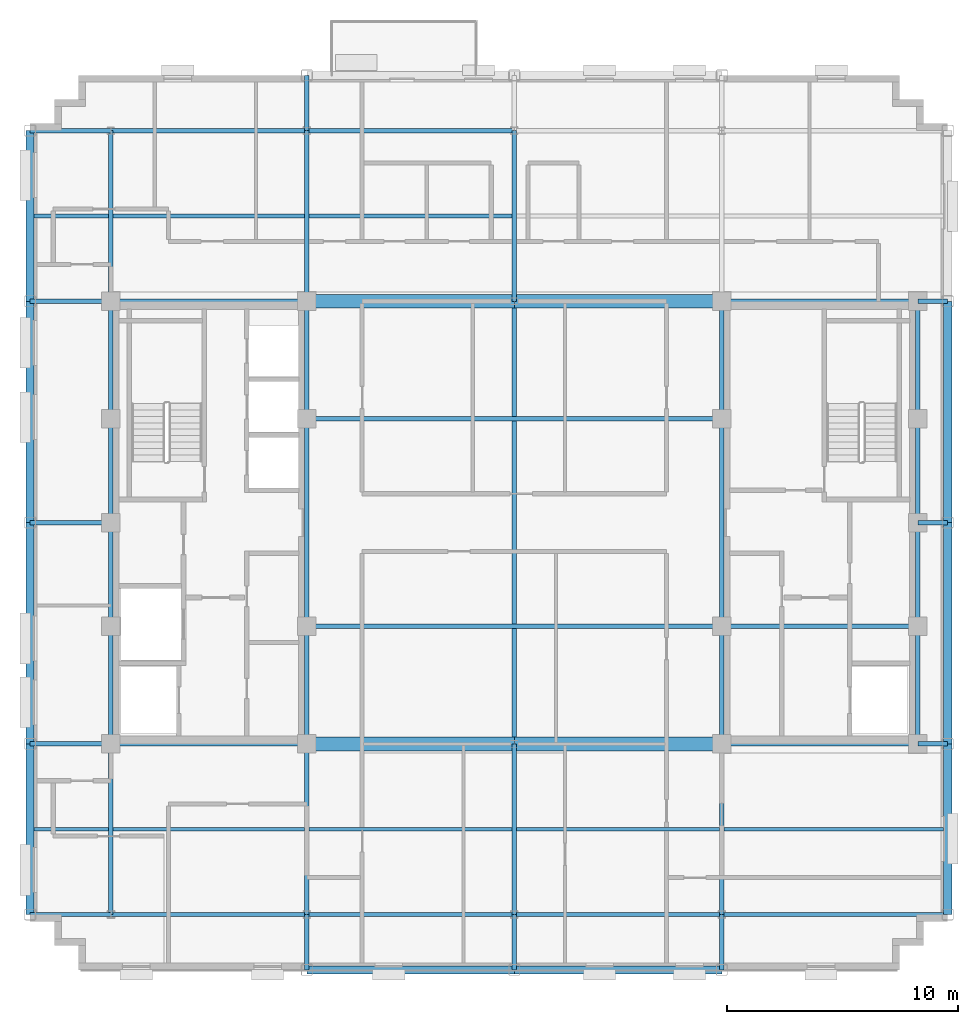
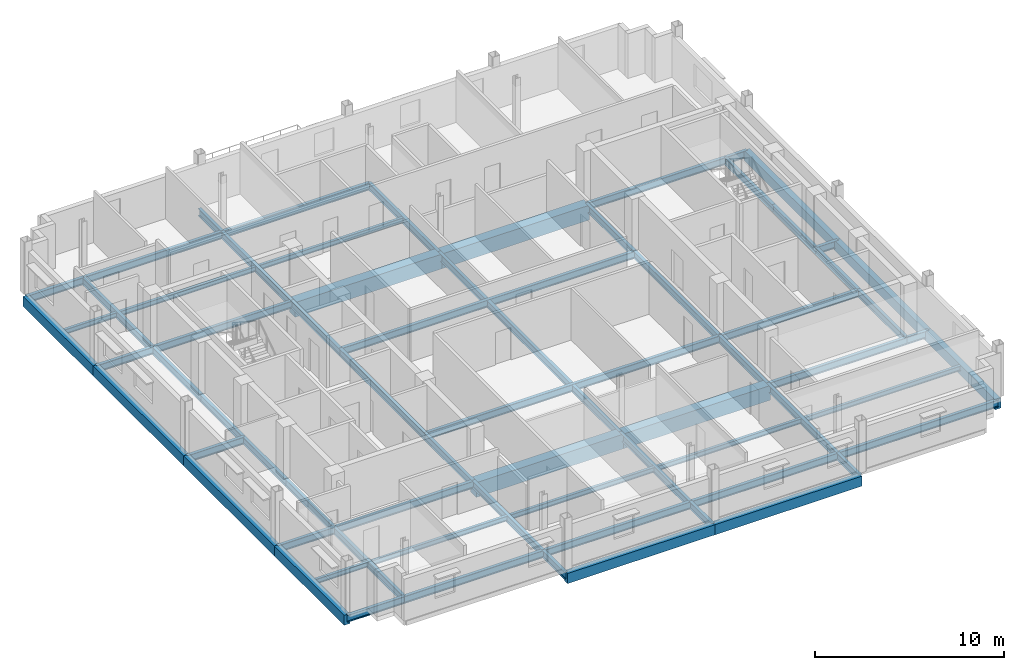
# One storey, part 4 of 14: 68 beams.
"""IFC4 building model written with IfcOpenShell, lengths in metres."""

from ifc_helpers import new_model, si_unit, direction, frame, origin, origin_2d, place, context, subcontext, project, spatial, rectangle, i_section, extrude, material, material_profile, profile_set, type_object, element, save


model = new_model("IFC4")

# Units and contexts
model_context = context("Model", 3, precision=1e-05, world=origin(), true_north=direction((0.0, 1.0)))
body_context = subcontext(model_context, "Body", "Model", "MODEL_VIEW")
ifc_project = project(units=[si_unit("LENGTHUNIT", "METRE"), si_unit("AREAUNIT", "SQUARE_METRE"), si_unit("VOLUMEUNIT", "CUBIC_METRE"), si_unit("PLANEANGLEUNIT", "RADIAN"), si_unit("MASSUNIT", "GRAM", prefix="KILO")], contexts=[model_context])

# Site, building, storey
site_placement = place(None, origin())
site = spatial("IfcSite", under=ifc_project, at=site_placement, CompositionType="ELEMENT")
building_placement = place(site_placement, origin())
building = spatial("IfcBuilding", under=site, at=building_placement, Name="Nuvemarco Arch Tower", CompositionType="ELEMENT")
storey_placement = place(building_placement, frame((0.0, 0.0, 272.550048828125)))
storey = spatial("IfcBuildingStorey", under=building, at=storey_placement, Name="L72", CompositionType="ELEMENT", Elevation=272.550048828125)

# Beams
ifc_material_1 = material(Name="Concrete C60/75", Category="concrete")
ifc_material_profile_1 = material_profile(ifc_material_1, rectangle(XDim=0.60009765625, YDim=0.949951171875, at=origin_2d()), Name="RC-BM-600x950")
ifc_profile_set_1 = profile_set([ifc_material_profile_1], Name="Concrete C60/75")
beam_type_1 = type_object("IfcBeamType", Name="BM-COUP-RC", PredefinedType="LINTEL", material=ifc_profile_set_1)
for number, where, z_axis, x_axis, name in (
    (1, (-9.0, -9.60009765625, -0.755126953125), (1.0, 0.0, 0.0), (0.0, 1.0, 0.0), "L72 structural beam BGEW_L72_0_-9.6_-9.0"),
    (2, (0.0, -9.60009765625, -0.755126953125), (1.0, 0.0, 0.0), (0.0, 1.0, 0.0), "L72 structural beam BGEW_L72_0_-9.6_+0.0"),
    (3, (-9.0, 9.60009765625, -0.755126953125), (1.0, 0.0, 0.0), (0.0, 1.0, 0.0), "L72 structural beam BGEW_L72_0_+9.6_-9.0"),
    (4, (0.0, 9.60009765625, -0.755126953125), (1.0, 0.0, 0.0), (0.0, 1.0, 0.0), "L72 structural beam BGEW_L72_0_+9.6_+0.0"),
):
    element("IfcBeam", number, at=place(storey_placement, frame(where, z_axis=z_axis, x_axis=x_axis)), inside=storey, type_object=beam_type_1, Name=name, PredefinedType="LINTEL", context=body_context, shape_type="SweptSolid", body=[
        extrude(rectangle(XDim=0.60009765625, YDim=0.949951171875, at=origin_2d()), origin(), (0.0, 0.0, 1.0), 9.0),
    ])
ifc_material_2 = material(Name="Steel S355", Category="steel")
ifc_material_profile_2 = material_profile(ifc_material_2, i_section(OverallWidth=0.19189453125, OverallDepth=0.462890625, WebThickness=0.010498046875, FlangeThickness=0.017578125, FilletRadius=0.014892578125, at=origin_2d()), Name="W460x89")
ifc_profile_set_2 = profile_set([ifc_material_profile_2], Name="Steel S355")
beam_type_2 = type_object("IfcBeamType", Name="BM-GIRD-460", PredefinedType="BEAM", material=ifc_profile_set_2)
beam_1_placement = place(storey_placement, frame((-17.5, -17.0, -0.511474609375), z_axis=(0.0, 1.0, 0.0), x_axis=(-1.0, 0.0, 0.0)))
element("IfcBeam", 5, at=beam_1_placement, inside=storey, type_object=beam_type_2, Name="L72 structural beam BGNS_L72_0_-17.5_-17.0", PredefinedType="BEAM", context=body_context, shape_type="SweptSolid", body=[
    extrude(i_section(OverallWidth=0.19189453125, OverallDepth=0.462890625, WebThickness=0.010498046875, FlangeThickness=0.017578125, FilletRadius=0.014892578125, at=origin_2d()), origin(), (0.0, 0.0, 1.0), 7.39990234375),
])
beam_2_placement = place(storey_placement, frame((-17.5, -9.60009765625, -0.511474609375), z_axis=(0.0, 1.0, 0.0), x_axis=(-1.0, 0.0, 0.0)))
element("IfcBeam", 6, at=beam_2_placement, inside=storey, type_object=beam_type_2, Name="L72 structural beam BGNS_L72_0_-17.5_-9.6", PredefinedType="BEAM", context=body_context, shape_type="SweptSolid", body=[
    extrude(i_section(OverallWidth=0.19189453125, OverallDepth=0.462890625, WebThickness=0.010498046875, FlangeThickness=0.017578125, FilletRadius=0.014892578125, at=origin_2d()), origin(), (0.0, 0.0, 1.0), 5.10009765625),
])
for number, where, z_axis, x_axis, name in (
    (7, (-17.5, -4.5, -0.511474609375), (0.0, 1.0, 0.0), (-1.0, 0.0, 0.0), "L72 structural beam BGNS_L72_0_-17.5_-4.5"),
    (8, (-17.5, 0.0, -0.511474609375), (0.0, 1.0, 0.0), (-1.0, 0.0, 0.0), "L72 structural beam BGNS_L72_0_-17.5_+0.0"),
):
    element("IfcBeam", number, at=place(storey_placement, frame(where, z_axis=z_axis, x_axis=x_axis)), inside=storey, type_object=beam_type_2, Name=name, PredefinedType="BEAM", context=body_context, shape_type="SweptSolid", body=[
        extrude(i_section(OverallWidth=0.19189453125, OverallDepth=0.462890625, WebThickness=0.010498046875, FlangeThickness=0.017578125, FilletRadius=0.014892578125, at=origin_2d()), origin(), (0.0, 0.0, 1.0), 4.5),
    ])
beam_3_placement = place(storey_placement, frame((-17.5, 4.5, -0.511474609375), z_axis=(0.0, 1.0, 0.0), x_axis=(-1.0, 0.0, 0.0)))
element("IfcBeam", 9, at=beam_3_placement, inside=storey, type_object=beam_type_2, Name="L72 structural beam BGNS_L72_0_-17.5_+4.5", PredefinedType="BEAM", context=body_context, shape_type="SweptSolid", body=[
    extrude(i_section(OverallWidth=0.19189453125, OverallDepth=0.462890625, WebThickness=0.010498046875, FlangeThickness=0.017578125, FilletRadius=0.014892578125, at=origin_2d()), origin(), (0.0, 0.0, 1.0), 5.10009765625),
])
beam_4_placement = place(storey_placement, frame((-17.5, 9.60009765625, -0.511474609375), z_axis=(0.0, 1.0, 0.0), x_axis=(-1.0, 0.0, 0.0)))
element("IfcBeam", 10, at=beam_4_placement, inside=storey, type_object=beam_type_2, Name="L72 structural beam BGNS_L72_0_-17.5_+9.6", PredefinedType="BEAM", context=body_context, shape_type="SweptSolid", body=[
    extrude(i_section(OverallWidth=0.19189453125, OverallDepth=0.462890625, WebThickness=0.010498046875, FlangeThickness=0.017578125, FilletRadius=0.014892578125, at=origin_2d()), origin(), (0.0, 0.0, 1.0), 7.39990234375),
])
beam_5_placement = place(storey_placement, frame((-9.0, -19.39990234375, -0.511474609375), z_axis=(0.0, 1.0, 0.0), x_axis=(-1.0, 0.0, 0.0)))
element("IfcBeam", 11, at=beam_5_placement, inside=storey, type_object=beam_type_2, Name="L72 structural beam BGNS_L72_0_-9.0_-19.4", PredefinedType="BEAM", context=body_context, shape_type="SweptSolid", body=[
    extrude(i_section(OverallWidth=0.19189453125, OverallDepth=0.462890625, WebThickness=0.010498046875, FlangeThickness=0.017578125, FilletRadius=0.014892578125, at=origin_2d()), origin(), (0.0, 0.0, 1.0), 2.39990234375),
])
beam_6_placement = place(storey_placement, frame((-9.0, -17.0, -0.511474609375), z_axis=(0.0, 1.0, 0.0), x_axis=(-1.0, 0.0, 0.0)))
element("IfcBeam", 12, at=beam_6_placement, inside=storey, type_object=beam_type_2, Name="L72 structural beam BGNS_L72_0_-9.0_-17.0", PredefinedType="BEAM", context=body_context, shape_type="SweptSolid", body=[
    extrude(i_section(OverallWidth=0.19189453125, OverallDepth=0.462890625, WebThickness=0.010498046875, FlangeThickness=0.017578125, FilletRadius=0.014892578125, at=origin_2d()), origin(), (0.0, 0.0, 1.0), 7.39990234375),
])
beam_7_placement = place(storey_placement, frame((-9.0, -9.60009765625, -0.511474609375), z_axis=(0.0, 1.0, 0.0), x_axis=(-1.0, 0.0, 0.0)))
element("IfcBeam", 13, at=beam_7_placement, inside=storey, type_object=beam_type_2, Name="L72 structural beam BGNS_L72_0_-9.0_-9.6", PredefinedType="BEAM", context=body_context, shape_type="SweptSolid", body=[
    extrude(i_section(OverallWidth=0.19189453125, OverallDepth=0.462890625, WebThickness=0.010498046875, FlangeThickness=0.017578125, FilletRadius=0.014892578125, at=origin_2d()), origin(), (0.0, 0.0, 1.0), 5.10009765625),
])
beam_8_placement = place(storey_placement, frame((-9.0, -4.5, -0.511474609375), z_axis=(0.0, 1.0, 0.0), x_axis=(-1.0, 0.0, 0.0)))
element("IfcBeam", 14, at=beam_8_placement, inside=storey, type_object=beam_type_2, Name="L72 structural beam BGNS_L72_0_-9.0_-4.5", PredefinedType="BEAM", context=body_context, shape_type="SweptSolid", body=[
    extrude(i_section(OverallWidth=0.19189453125, OverallDepth=0.462890625, WebThickness=0.010498046875, FlangeThickness=0.017578125, FilletRadius=0.014892578125, at=origin_2d()), origin(), (0.0, 0.0, 1.0), 9.0),
])
beam_9_placement = place(storey_placement, frame((-9.0, 4.5, -0.511474609375), z_axis=(0.0, 1.0, 0.0), x_axis=(-1.0, 0.0, 0.0)))
element("IfcBeam", 15, at=beam_9_placement, inside=storey, type_object=beam_type_2, Name="L72 structural beam BGNS_L72_0_-9.0_+4.5", PredefinedType="BEAM", context=body_context, shape_type="SweptSolid", body=[
    extrude(i_section(OverallWidth=0.19189453125, OverallDepth=0.462890625, WebThickness=0.010498046875, FlangeThickness=0.017578125, FilletRadius=0.014892578125, at=origin_2d()), origin(), (0.0, 0.0, 1.0), 5.10009765625),
])
beam_10_placement = place(storey_placement, frame((-9.0, 9.60009765625, -0.511474609375), z_axis=(0.0, 1.0, 0.0), x_axis=(-1.0, 0.0, 0.0)))
element("IfcBeam", 16, at=beam_10_placement, inside=storey, type_object=beam_type_2, Name="L72 structural beam BGNS_L72_0_-9.0_+9.6", PredefinedType="BEAM", context=body_context, shape_type="SweptSolid", body=[
    extrude(i_section(OverallWidth=0.19189453125, OverallDepth=0.462890625, WebThickness=0.010498046875, FlangeThickness=0.017578125, FilletRadius=0.014892578125, at=origin_2d()), origin(), (0.0, 0.0, 1.0), 7.39990234375),
])
for number, where, z_axis, x_axis, name in (
    (17, (-9.0, 17.0, -0.511474609375), (0.0, 1.0, 0.0), (-1.0, 0.0, 0.0), "L72 structural beam BGNS_L72_0_-9.0_+17.0"),
    (18, (0.0, -19.39990234375, -0.511474609375), (0.0, 1.0, 0.0), (-1.0, 0.0, 0.0), "L72 structural beam BGNS_L72_0_+0.0_-19.4"),
):
    element("IfcBeam", number, at=place(storey_placement, frame(where, z_axis=z_axis, x_axis=x_axis)), inside=storey, type_object=beam_type_2, Name=name, PredefinedType="BEAM", context=body_context, shape_type="SweptSolid", body=[
        extrude(i_section(OverallWidth=0.19189453125, OverallDepth=0.462890625, WebThickness=0.010498046875, FlangeThickness=0.017578125, FilletRadius=0.014892578125, at=origin_2d()), origin(), (0.0, 0.0, 1.0), 2.39990234375),
    ])
beam_11_placement = place(storey_placement, frame((0.0, -17.0, -0.511474609375), z_axis=(0.0, 1.0, 0.0), x_axis=(-1.0, 0.0, 0.0)))
element("IfcBeam", 19, at=beam_11_placement, inside=storey, type_object=beam_type_2, Name="L72 structural beam BGNS_L72_0_+0.0_-17.0", PredefinedType="BEAM", context=body_context, shape_type="SweptSolid", body=[
    extrude(i_section(OverallWidth=0.19189453125, OverallDepth=0.462890625, WebThickness=0.010498046875, FlangeThickness=0.017578125, FilletRadius=0.014892578125, at=origin_2d()), origin(), (0.0, 0.0, 1.0), 7.39990234375),
])
beam_12_placement = place(storey_placement, frame((0.0, -9.60009765625, -0.511474609375), z_axis=(0.0, 1.0, 0.0), x_axis=(-1.0, 0.0, 0.0)))
element("IfcBeam", 20, at=beam_12_placement, inside=storey, type_object=beam_type_2, Name="L72 structural beam BGNS_L72_0_+0.0_-9.6", PredefinedType="BEAM", context=body_context, shape_type="SweptSolid", body=[
    extrude(i_section(OverallWidth=0.19189453125, OverallDepth=0.462890625, WebThickness=0.010498046875, FlangeThickness=0.017578125, FilletRadius=0.014892578125, at=origin_2d()), origin(), (0.0, 0.0, 1.0), 19.2001953125),
])
beam_13_placement = place(storey_placement, frame((0.0, 9.60009765625, -0.511474609375), z_axis=(0.0, 1.0, 0.0), x_axis=(-1.0, 0.0, 0.0)))
element("IfcBeam", 21, at=beam_13_placement, inside=storey, type_object=beam_type_2, Name="L72 structural beam BGNS_L72_0_+0.0_+9.6", PredefinedType="BEAM", context=body_context, shape_type="SweptSolid", body=[
    extrude(i_section(OverallWidth=0.19189453125, OverallDepth=0.462890625, WebThickness=0.010498046875, FlangeThickness=0.017578125, FilletRadius=0.014892578125, at=origin_2d()), origin(), (0.0, 0.0, 1.0), 7.39990234375),
])
beam_14_placement = place(storey_placement, frame((9.0, -19.39990234375, -0.511474609375), z_axis=(0.0, 1.0, 0.0), x_axis=(-1.0, 0.0, 0.0)))
element("IfcBeam", 22, at=beam_14_placement, inside=storey, type_object=beam_type_2, Name="L72 structural beam BGNS_L72_0_+9.0_-19.4", PredefinedType="BEAM", context=body_context, shape_type="SweptSolid", body=[
    extrude(i_section(OverallWidth=0.19189453125, OverallDepth=0.462890625, WebThickness=0.010498046875, FlangeThickness=0.017578125, FilletRadius=0.014892578125, at=origin_2d()), origin(), (0.0, 0.0, 1.0), 2.39990234375),
])
beam_15_placement = place(storey_placement, frame((9.0, -17.0, -0.511474609375), z_axis=(0.0, 1.0, 0.0), x_axis=(-1.0, 0.0, 0.0)))
element("IfcBeam", 23, at=beam_15_placement, inside=storey, type_object=beam_type_2, Name="L72 structural beam BGNS_L72_0_+9.0_-17.0", PredefinedType="BEAM", context=body_context, shape_type="SweptSolid", body=[
    extrude(i_section(OverallWidth=0.19189453125, OverallDepth=0.462890625, WebThickness=0.010498046875, FlangeThickness=0.017578125, FilletRadius=0.014892578125, at=origin_2d()), origin(), (0.0, 0.0, 1.0), 7.39990234375),
])
beam_16_placement = place(storey_placement, frame((9.0, -9.60009765625, -0.511474609375), z_axis=(0.0, 1.0, 0.0), x_axis=(-1.0, 0.0, 0.0)))
element("IfcBeam", 24, at=beam_16_placement, inside=storey, type_object=beam_type_2, Name="L72 structural beam BGNS_L72_0_+9.0_-9.6", PredefinedType="BEAM", context=body_context, shape_type="SweptSolid", body=[
    extrude(i_section(OverallWidth=0.19189453125, OverallDepth=0.462890625, WebThickness=0.010498046875, FlangeThickness=0.017578125, FilletRadius=0.014892578125, at=origin_2d()), origin(), (0.0, 0.0, 1.0), 5.10009765625),
])
beam_17_placement = place(storey_placement, frame((9.0, -4.5, -0.511474609375), z_axis=(0.0, 1.0, 0.0), x_axis=(-1.0, 0.0, 0.0)))
element("IfcBeam", 25, at=beam_17_placement, inside=storey, type_object=beam_type_2, Name="L72 structural beam BGNS_L72_0_+9.0_-4.5", PredefinedType="BEAM", context=body_context, shape_type="SweptSolid", body=[
    extrude(i_section(OverallWidth=0.19189453125, OverallDepth=0.462890625, WebThickness=0.010498046875, FlangeThickness=0.017578125, FilletRadius=0.014892578125, at=origin_2d()), origin(), (0.0, 0.0, 1.0), 9.0),
])
for number, where, z_axis, x_axis, name in (
    (26, (9.0, 4.5, -0.511474609375), (0.0, 1.0, 0.0), (-1.0, 0.0, 0.0), "L72 structural beam BGNS_L72_0_+9.0_+4.5"),
    (27, (17.5, -9.60009765625, -0.511474609375), (0.0, 1.0, 0.0), (-1.0, 0.0, 0.0), "L72 structural beam BGNS_L72_0_+17.5_-9.6"),
):
    element("IfcBeam", number, at=place(storey_placement, frame(where, z_axis=z_axis, x_axis=x_axis)), inside=storey, type_object=beam_type_2, Name=name, PredefinedType="BEAM", context=body_context, shape_type="SweptSolid", body=[
        extrude(i_section(OverallWidth=0.19189453125, OverallDepth=0.462890625, WebThickness=0.010498046875, FlangeThickness=0.017578125, FilletRadius=0.014892578125, at=origin_2d()), origin(), (0.0, 0.0, 1.0), 5.10009765625),
    ])
for number, where, z_axis, x_axis, name in (
    (28, (17.5, -4.5, -0.511474609375), (0.0, 1.0, 0.0), (-1.0, 0.0, 0.0), "L72 structural beam BGNS_L72_0_+17.5_-4.5"),
    (29, (17.5, 0.0, -0.511474609375), (0.0, 1.0, 0.0), (-1.0, 0.0, 0.0), "L72 structural beam BGNS_L72_0_+17.5_+0.0"),
):
    element("IfcBeam", number, at=place(storey_placement, frame(where, z_axis=z_axis, x_axis=x_axis)), inside=storey, type_object=beam_type_2, Name=name, PredefinedType="BEAM", context=body_context, shape_type="SweptSolid", body=[
        extrude(i_section(OverallWidth=0.19189453125, OverallDepth=0.462890625, WebThickness=0.010498046875, FlangeThickness=0.017578125, FilletRadius=0.014892578125, at=origin_2d()), origin(), (0.0, 0.0, 1.0), 4.5),
    ])
beam_18_placement = place(storey_placement, frame((17.5, 4.5, -0.511474609375), z_axis=(0.0, 1.0, 0.0), x_axis=(-1.0, 0.0, 0.0)))
element("IfcBeam", 30, at=beam_18_placement, inside=storey, type_object=beam_type_2, Name="L72 structural beam BGNS_L72_0_+17.5_+4.5", PredefinedType="BEAM", context=body_context, shape_type="SweptSolid", body=[
    extrude(i_section(OverallWidth=0.19189453125, OverallDepth=0.462890625, WebThickness=0.010498046875, FlangeThickness=0.017578125, FilletRadius=0.014892578125, at=origin_2d()), origin(), (0.0, 0.0, 1.0), 5.10009765625),
])
beam_19_placement = place(storey_placement, frame((-21.0, -17.0, -0.511474609375), z_axis=(1.0, 0.0, 0.0), x_axis=(0.0, 1.0, 0.0)))
element("IfcBeam", 31, at=beam_19_placement, inside=storey, type_object=beam_type_2, Name="L72 structural beam BGEW_L72_0_-17.0_-21.0", PredefinedType="BEAM", context=body_context, shape_type="SweptSolid", body=[
    extrude(i_section(OverallWidth=0.19189453125, OverallDepth=0.462890625, WebThickness=0.010498046875, FlangeThickness=0.017578125, FilletRadius=0.014892578125, at=origin_2d()), origin(), (0.0, 0.0, 1.0), 3.5),
])
beam_20_placement = place(storey_placement, frame((-17.5, -17.0, -0.511474609375), z_axis=(1.0, 0.0, 0.0), x_axis=(0.0, 1.0, 0.0)))
element("IfcBeam", 32, at=beam_20_placement, inside=storey, type_object=beam_type_2, Name="L72 structural beam BGEW_L72_0_-17.0_-17.5", PredefinedType="BEAM", context=body_context, shape_type="SweptSolid", body=[
    extrude(i_section(OverallWidth=0.19189453125, OverallDepth=0.462890625, WebThickness=0.010498046875, FlangeThickness=0.017578125, FilletRadius=0.014892578125, at=origin_2d()), origin(), (0.0, 0.0, 1.0), 8.5),
])
for number, where, z_axis, x_axis, name in (
    (33, (-9.0, -17.0, -0.511474609375), (1.0, 0.0, 0.0), (0.0, 1.0, 0.0), "L72 structural beam BGEW_L72_0_-17.0_-9.0"),
    (34, (0.0, -17.0, -0.511474609375), (1.0, 0.0, 0.0), (0.0, 1.0, 0.0), "L72 structural beam BGEW_L72_0_-17.0_+0.0"),
):
    element("IfcBeam", number, at=place(storey_placement, frame(where, z_axis=z_axis, x_axis=x_axis)), inside=storey, type_object=beam_type_2, Name=name, PredefinedType="BEAM", context=body_context, shape_type="SweptSolid", body=[
        extrude(i_section(OverallWidth=0.19189453125, OverallDepth=0.462890625, WebThickness=0.010498046875, FlangeThickness=0.017578125, FilletRadius=0.014892578125, at=origin_2d()), origin(), (0.0, 0.0, 1.0), 9.0),
    ])
beam_21_placement = place(storey_placement, frame((9.0, -17.0, -0.511474609375), z_axis=(1.0, 0.0, 0.0), x_axis=(0.0, 1.0, 0.0)))
element("IfcBeam", 35, at=beam_21_placement, inside=storey, type_object=beam_type_2, Name="L72 structural beam BGEW_L72_0_-17.0_+9.0", PredefinedType="BEAM", context=body_context, shape_type="SweptSolid", body=[
    extrude(i_section(OverallWidth=0.19189453125, OverallDepth=0.462890625, WebThickness=0.010498046875, FlangeThickness=0.017578125, FilletRadius=0.014892578125, at=origin_2d()), origin(), (0.0, 0.0, 1.0), 9.800048828125),
])
beam_22_placement = place(storey_placement, frame((-21.0, -9.60009765625, -0.511474609375), z_axis=(1.0, 0.0, 0.0), x_axis=(0.0, 1.0, 0.0)))
element("IfcBeam", 36, at=beam_22_placement, inside=storey, type_object=beam_type_2, Name="L72 structural beam BGEW_L72_0_-9.6_-21.0", PredefinedType="BEAM", context=body_context, shape_type="SweptSolid", body=[
    extrude(i_section(OverallWidth=0.19189453125, OverallDepth=0.462890625, WebThickness=0.010498046875, FlangeThickness=0.017578125, FilletRadius=0.014892578125, at=origin_2d()), origin(), (0.0, 0.0, 1.0), 3.5),
])
for number, where, z_axis, x_axis, name in (
    (37, (-17.5, -9.60009765625, -0.511474609375), (1.0, 0.0, 0.0), (0.0, 1.0, 0.0), "L72 structural beam BGEW_L72_0_-9.6_-17.5"),
    (38, (9.0, -9.60009765625, -0.511474609375), (1.0, 0.0, 0.0), (0.0, 1.0, 0.0), "L72 structural beam BGEW_L72_0_-9.6_+9.0"),
):
    element("IfcBeam", number, at=place(storey_placement, frame(where, z_axis=z_axis, x_axis=x_axis)), inside=storey, type_object=beam_type_2, Name=name, PredefinedType="BEAM", context=body_context, shape_type="SweptSolid", body=[
        extrude(i_section(OverallWidth=0.19189453125, OverallDepth=0.462890625, WebThickness=0.010498046875, FlangeThickness=0.017578125, FilletRadius=0.014892578125, at=origin_2d()), origin(), (0.0, 0.0, 1.0), 8.5),
    ])
beam_23_placement = place(storey_placement, frame((17.5, -9.60009765625, -0.511474609375), z_axis=(1.0, 0.0, 0.0), x_axis=(0.0, 1.0, 0.0)))
element("IfcBeam", 39, at=beam_23_placement, inside=storey, type_object=beam_type_2, Name="L72 structural beam BGEW_L72_0_-9.6_+17.5", PredefinedType="BEAM", context=body_context, shape_type="SweptSolid", body=[
    extrude(i_section(OverallWidth=0.19189453125, OverallDepth=0.462890625, WebThickness=0.010498046875, FlangeThickness=0.017578125, FilletRadius=0.014892578125, at=origin_2d()), origin(), (0.0, 0.0, 1.0), 1.300048828125),
])
beam_24_placement = place(storey_placement, frame((-9.0, -4.5, -0.511474609375), z_axis=(1.0, 0.0, 0.0), x_axis=(0.0, 1.0, 0.0)))
element("IfcBeam", 40, at=beam_24_placement, inside=storey, type_object=beam_type_2, Name="L72 structural beam BGEW_L72_0_-4.5_-9.0", PredefinedType="BEAM", context=body_context, shape_type="SweptSolid", body=[
    extrude(i_section(OverallWidth=0.19189453125, OverallDepth=0.462890625, WebThickness=0.010498046875, FlangeThickness=0.017578125, FilletRadius=0.014892578125, at=origin_2d()), origin(), (0.0, 0.0, 1.0), 18.0),
])
beam_25_placement = place(storey_placement, frame((9.0, -4.5, -0.511474609375), z_axis=(1.0, 0.0, 0.0), x_axis=(0.0, 1.0, 0.0)))
element("IfcBeam", 41, at=beam_25_placement, inside=storey, type_object=beam_type_2, Name="L72 structural beam BGEW_L72_0_-4.5_+9.0", PredefinedType="BEAM", context=body_context, shape_type="SweptSolid", body=[
    extrude(i_section(OverallWidth=0.19189453125, OverallDepth=0.462890625, WebThickness=0.010498046875, FlangeThickness=0.017578125, FilletRadius=0.014892578125, at=origin_2d()), origin(), (0.0, 0.0, 1.0), 8.5),
])
beam_26_placement = place(storey_placement, frame((-21.0, 0.0, -0.511474609375), z_axis=(1.0, 0.0, 0.0), x_axis=(0.0, 1.0, 0.0)))
element("IfcBeam", 42, at=beam_26_placement, inside=storey, type_object=beam_type_2, Name="L72 structural beam BGEW_L72_0_+0.0_-21.0", PredefinedType="BEAM", context=body_context, shape_type="SweptSolid", body=[
    extrude(i_section(OverallWidth=0.19189453125, OverallDepth=0.462890625, WebThickness=0.010498046875, FlangeThickness=0.017578125, FilletRadius=0.014892578125, at=origin_2d()), origin(), (0.0, 0.0, 1.0), 3.5),
])
beam_27_placement = place(storey_placement, frame((17.5, 0.0, -0.511474609375), z_axis=(1.0, 0.0, 0.0), x_axis=(0.0, 1.0, 0.0)))
element("IfcBeam", 43, at=beam_27_placement, inside=storey, type_object=beam_type_2, Name="L72 structural beam BGEW_L72_0_+0.0_+17.5", PredefinedType="BEAM", context=body_context, shape_type="SweptSolid", body=[
    extrude(i_section(OverallWidth=0.19189453125, OverallDepth=0.462890625, WebThickness=0.010498046875, FlangeThickness=0.017578125, FilletRadius=0.014892578125, at=origin_2d()), origin(), (0.0, 0.0, 1.0), 1.300048828125),
])
beam_28_placement = place(storey_placement, frame((-9.0, 4.5, -0.511474609375), z_axis=(1.0, 0.0, 0.0), x_axis=(0.0, 1.0, 0.0)))
element("IfcBeam", 44, at=beam_28_placement, inside=storey, type_object=beam_type_2, Name="L72 structural beam BGEW_L72_0_+4.5_-9.0", PredefinedType="BEAM", context=body_context, shape_type="SweptSolid", body=[
    extrude(i_section(OverallWidth=0.19189453125, OverallDepth=0.462890625, WebThickness=0.010498046875, FlangeThickness=0.017578125, FilletRadius=0.014892578125, at=origin_2d()), origin(), (0.0, 0.0, 1.0), 18.0),
])
beam_29_placement = place(storey_placement, frame((-21.0, 9.60009765625, -0.511474609375), z_axis=(1.0, 0.0, 0.0), x_axis=(0.0, 1.0, 0.0)))
element("IfcBeam", 45, at=beam_29_placement, inside=storey, type_object=beam_type_2, Name="L72 structural beam BGEW_L72_0_+9.6_-21.0", PredefinedType="BEAM", context=body_context, shape_type="SweptSolid", body=[
    extrude(i_section(OverallWidth=0.19189453125, OverallDepth=0.462890625, WebThickness=0.010498046875, FlangeThickness=0.017578125, FilletRadius=0.014892578125, at=origin_2d()), origin(), (0.0, 0.0, 1.0), 3.5),
])
for number, where, z_axis, x_axis, name in (
    (46, (-17.5, 9.60009765625, -0.511474609375), (1.0, 0.0, 0.0), (0.0, 1.0, 0.0), "L72 structural beam BGEW_L72_0_+9.6_-17.5"),
    (47, (9.0, 9.60009765625, -0.511474609375), (1.0, 0.0, 0.0), (0.0, 1.0, 0.0), "L72 structural beam BGEW_L72_0_+9.6_+9.0"),
):
    element("IfcBeam", number, at=place(storey_placement, frame(where, z_axis=z_axis, x_axis=x_axis)), inside=storey, type_object=beam_type_2, Name=name, PredefinedType="BEAM", context=body_context, shape_type="SweptSolid", body=[
        extrude(i_section(OverallWidth=0.19189453125, OverallDepth=0.462890625, WebThickness=0.010498046875, FlangeThickness=0.017578125, FilletRadius=0.014892578125, at=origin_2d()), origin(), (0.0, 0.0, 1.0), 8.5),
    ])
beam_30_placement = place(storey_placement, frame((17.5, 9.60009765625, -0.511474609375), z_axis=(1.0, 0.0, 0.0), x_axis=(0.0, 1.0, 0.0)))
element("IfcBeam", 48, at=beam_30_placement, inside=storey, type_object=beam_type_2, Name="L72 structural beam BGEW_L72_0_+9.6_+17.5", PredefinedType="BEAM", context=body_context, shape_type="SweptSolid", body=[
    extrude(i_section(OverallWidth=0.19189453125, OverallDepth=0.462890625, WebThickness=0.010498046875, FlangeThickness=0.017578125, FilletRadius=0.014892578125, at=origin_2d()), origin(), (0.0, 0.0, 1.0), 1.300048828125),
])
beam_31_placement = place(storey_placement, frame((-21.0, 17.0, -0.511474609375), z_axis=(1.0, 0.0, 0.0), x_axis=(0.0, 1.0, 0.0)))
element("IfcBeam", 49, at=beam_31_placement, inside=storey, type_object=beam_type_2, Name="L72 structural beam BGEW_L72_0_+17.0_-21.0", PredefinedType="BEAM", context=body_context, shape_type="SweptSolid", body=[
    extrude(i_section(OverallWidth=0.19189453125, OverallDepth=0.462890625, WebThickness=0.010498046875, FlangeThickness=0.017578125, FilletRadius=0.014892578125, at=origin_2d()), origin(), (0.0, 0.0, 1.0), 3.5),
])
beam_32_placement = place(storey_placement, frame((-17.5, 17.0, -0.511474609375), z_axis=(1.0, 0.0, 0.0), x_axis=(0.0, 1.0, 0.0)))
element("IfcBeam", 50, at=beam_32_placement, inside=storey, type_object=beam_type_2, Name="L72 structural beam BGEW_L72_0_+17.0_-17.5", PredefinedType="BEAM", context=body_context, shape_type="SweptSolid", body=[
    extrude(i_section(OverallWidth=0.19189453125, OverallDepth=0.462890625, WebThickness=0.010498046875, FlangeThickness=0.017578125, FilletRadius=0.014892578125, at=origin_2d()), origin(), (0.0, 0.0, 1.0), 8.5),
])
beam_33_placement = place(storey_placement, frame((-9.0, 17.0, -0.511474609375), z_axis=(1.0, 0.0, 0.0), x_axis=(0.0, 1.0, 0.0)))
element("IfcBeam", 51, at=beam_33_placement, inside=storey, type_object=beam_type_2, Name="L72 structural beam BGEW_L72_0_+17.0_-9.0", PredefinedType="BEAM", context=body_context, shape_type="SweptSolid", body=[
    extrude(i_section(OverallWidth=0.19189453125, OverallDepth=0.462890625, WebThickness=0.010498046875, FlangeThickness=0.017578125, FilletRadius=0.014892578125, at=origin_2d()), origin(), (0.0, 0.0, 1.0), 9.0),
])
ifc_material_profile_3 = material_profile(ifc_material_2, i_section(OverallWidth=0.1669921875, OverallDepth=0.31689453125, WebThickness=0.007568359375, FlangeThickness=0.01318359375, FilletRadius=0.010009765625, at=origin_2d()), Name="W310x52")
ifc_profile_set_3 = profile_set([ifc_material_profile_3], Name="Steel S355")
beam_type_3 = type_object("IfcBeamType", Name="BM-JOIST-310", PredefinedType="JOIST", material=ifc_profile_set_3)
beam_34_placement = place(storey_placement, frame((-20.824951171875, -13.300048828125, -0.4384765625), z_axis=(1.0, 0.0, 0.0), x_axis=(0.0, 1.0, 0.0)))
element("IfcBeam", 52, at=beam_34_placement, inside=storey, type_object=beam_type_3, Name="L72 structural beam BJ_L72_0_-13.3_-21.0", PredefinedType="JOIST", context=body_context, shape_type="SweptSolid", body=[
    extrude(i_section(OverallWidth=0.1669921875, OverallDepth=0.31689453125, WebThickness=0.007568359375, FlangeThickness=0.01318359375, FilletRadius=0.010009765625, at=origin_2d()), origin(), (0.0, 0.0, 1.0), 3.22900390625),
])
beam_35_placement = place(storey_placement, frame((-17.404052734375, -13.300048828125, -0.4384765625), z_axis=(1.0, 0.0, 0.0), x_axis=(0.0, 1.0, 0.0)))
element("IfcBeam", 53, at=beam_35_placement, inside=storey, type_object=beam_type_3, Name="L72 structural beam BJ_L72_0_-13.3_-17.5", PredefinedType="JOIST", context=body_context, shape_type="SweptSolid", body=[
    extrude(i_section(OverallWidth=0.1669921875, OverallDepth=0.31689453125, WebThickness=0.007568359375, FlangeThickness=0.01318359375, FilletRadius=0.010009765625, at=origin_2d()), origin(), (0.0, 0.0, 1.0), 8.30810546875),
])
for number, where, z_axis, x_axis, name in (
    (54, (-8.904052734375, -13.300048828125, -0.4384765625), (1.0, 0.0, 0.0), (0.0, 1.0, 0.0), "L72 structural beam BJ_L72_0_-13.3_-9.0"),
    (55, (0.095947265625, -13.300048828125, -0.4384765625), (1.0, 0.0, 0.0), (0.0, 1.0, 0.0), "L72 structural beam BJ_L72_0_-13.3_+0.0"),
):
    element("IfcBeam", number, at=place(storey_placement, frame(where, z_axis=z_axis, x_axis=x_axis)), inside=storey, type_object=beam_type_3, Name=name, PredefinedType="JOIST", context=body_context, shape_type="SweptSolid", body=[
        extrude(i_section(OverallWidth=0.1669921875, OverallDepth=0.31689453125, WebThickness=0.007568359375, FlangeThickness=0.01318359375, FilletRadius=0.010009765625, at=origin_2d()), origin(), (0.0, 0.0, 1.0), 8.80810546875),
    ])
beam_36_placement = place(storey_placement, frame((9.095947265625, -13.300048828125, -0.4384765625), z_axis=(1.0, 0.0, 0.0), x_axis=(0.0, 1.0, 0.0)))
element("IfcBeam", 56, at=beam_36_placement, inside=storey, type_object=beam_type_3, Name="L72 structural beam BJ_L72_0_-13.3_+9.0", PredefinedType="JOIST", context=body_context, shape_type="SweptSolid", body=[
    extrude(i_section(OverallWidth=0.1669921875, OverallDepth=0.31689453125, WebThickness=0.007568359375, FlangeThickness=0.01318359375, FilletRadius=0.010009765625, at=origin_2d()), origin(), (0.0, 0.0, 1.0), 9.529052734375),
])
beam_37_placement = place(storey_placement, frame((-20.824951171875, 13.300048828125, -0.4384765625), z_axis=(1.0, 0.0, 0.0), x_axis=(0.0, 1.0, 0.0)))
element("IfcBeam", 57, at=beam_37_placement, inside=storey, type_object=beam_type_3, Name="L72 structural beam BJ_L72_0_+13.3_-21.0", PredefinedType="JOIST", context=body_context, shape_type="SweptSolid", body=[
    extrude(i_section(OverallWidth=0.1669921875, OverallDepth=0.31689453125, WebThickness=0.007568359375, FlangeThickness=0.01318359375, FilletRadius=0.010009765625, at=origin_2d()), origin(), (0.0, 0.0, 1.0), 3.22900390625),
])
beam_38_placement = place(storey_placement, frame((-17.404052734375, 13.300048828125, -0.4384765625), z_axis=(1.0, 0.0, 0.0), x_axis=(0.0, 1.0, 0.0)))
element("IfcBeam", 58, at=beam_38_placement, inside=storey, type_object=beam_type_3, Name="L72 structural beam BJ_L72_0_+13.3_-17.5", PredefinedType="JOIST", context=body_context, shape_type="SweptSolid", body=[
    extrude(i_section(OverallWidth=0.1669921875, OverallDepth=0.31689453125, WebThickness=0.007568359375, FlangeThickness=0.01318359375, FilletRadius=0.010009765625, at=origin_2d()), origin(), (0.0, 0.0, 1.0), 8.30810546875),
])
beam_39_placement = place(storey_placement, frame((-8.904052734375, 13.300048828125, -0.4384765625), z_axis=(1.0, 0.0, 0.0), x_axis=(0.0, 1.0, 0.0)))
element("IfcBeam", 59, at=beam_39_placement, inside=storey, type_object=beam_type_3, Name="L72 structural beam BJ_L72_0_+13.3_-9.0", PredefinedType="JOIST", context=body_context, shape_type="SweptSolid", body=[
    extrude(i_section(OverallWidth=0.1669921875, OverallDepth=0.31689453125, WebThickness=0.007568359375, FlangeThickness=0.01318359375, FilletRadius=0.010009765625, at=origin_2d()), origin(), (0.0, 0.0, 1.0), 8.80810546875),
])
ifc_material_3 = material(Name="Precast concrete C45/55", Category="concrete")
ifc_material_profile_4 = material_profile(ifc_material_3, rectangle(XDim=0.35009765625, YDim=0.64990234375, at=origin_2d()), Name="PC-SP-350x650")
ifc_profile_set_4 = profile_set([ifc_material_profile_4], Name="Precast concrete C45/55")
beam_type_4 = type_object("IfcBeamType", Name="BM-SPAN-RC", PredefinedType="SPANDREL", material=ifc_profile_set_4)
beam_40_placement = place(storey_placement, frame((-21.0, -17.0, -0.60498046875), z_axis=(0.0, 1.0, 0.0), x_axis=(-1.0, 0.0, 0.0)))
element("IfcBeam", 60, at=beam_40_placement, inside=storey, type_object=beam_type_4, Name="L72 structural beam BGNS_L72_0_-21.0_-17.0", PredefinedType="SPANDREL", context=body_context, shape_type="SweptSolid", body=[
    extrude(rectangle(XDim=0.35009765625, YDim=0.64990234375, at=origin_2d()), origin(), (0.0, 0.0, 1.0), 7.39990234375),
])
for number, where, z_axis, x_axis, name in (
    (61, (-21.0, -9.60009765625, -0.60498046875), (0.0, 1.0, 0.0), (-1.0, 0.0, 0.0), "L72 structural beam BGNS_L72_0_-21.0_-9.6"),
    (62, (-21.0, 0.0, -0.60498046875), (0.0, 1.0, 0.0), (-1.0, 0.0, 0.0), "L72 structural beam BGNS_L72_0_-21.0_+0.0"),
):
    element("IfcBeam", number, at=place(storey_placement, frame(where, z_axis=z_axis, x_axis=x_axis)), inside=storey, type_object=beam_type_4, Name=name, PredefinedType="SPANDREL", context=body_context, shape_type="SweptSolid", body=[
        extrude(rectangle(XDim=0.35009765625, YDim=0.64990234375, at=origin_2d()), origin(), (0.0, 0.0, 1.0), 9.60009765625),
    ])
for number, where, z_axis, x_axis, name in (
    (63, (-21.0, 9.60009765625, -0.60498046875), (0.0, 1.0, 0.0), (-1.0, 0.0, 0.0), "L72 structural beam BGNS_L72_0_-21.0_+9.6"),
    (64, (18.800048828125, -17.0, -0.60498046875), (0.0, 1.0, 0.0), (-1.0, 0.0, 0.0), "L72 structural beam BGNS_L72_0_+18.8_-17.0"),
):
    element("IfcBeam", number, at=place(storey_placement, frame(where, z_axis=z_axis, x_axis=x_axis)), inside=storey, type_object=beam_type_4, Name=name, PredefinedType="SPANDREL", context=body_context, shape_type="SweptSolid", body=[
        extrude(rectangle(XDim=0.35009765625, YDim=0.64990234375, at=origin_2d()), origin(), (0.0, 0.0, 1.0), 7.39990234375),
    ])
for number, where, z_axis, x_axis, name in (
    (65, (18.800048828125, -9.60009765625, -0.60498046875), (0.0, 1.0, 0.0), (-1.0, 0.0, 0.0), "L72 structural beam BGNS_L72_0_+18.8_-9.6"),
    (66, (18.800048828125, 0.0, -0.60498046875), (0.0, 1.0, 0.0), (-1.0, 0.0, 0.0), "L72 structural beam BGNS_L72_0_+18.8_+0.0"),
):
    element("IfcBeam", number, at=place(storey_placement, frame(where, z_axis=z_axis, x_axis=x_axis)), inside=storey, type_object=beam_type_4, Name=name, PredefinedType="SPANDREL", context=body_context, shape_type="SweptSolid", body=[
        extrude(rectangle(XDim=0.35009765625, YDim=0.64990234375, at=origin_2d()), origin(), (0.0, 0.0, 1.0), 9.60009765625),
    ])
for number, where, z_axis, x_axis, name in (
    (67, (-9.0, -19.39990234375, -0.60498046875), (1.0, 0.0, 0.0), (0.0, 1.0, 0.0), "L72 structural beam BGEW_L72_0_-19.4_-9.0"),
    (68, (0.0, -19.39990234375, -0.60498046875), (1.0, 0.0, 0.0), (0.0, 1.0, 0.0), "L72 structural beam BGEW_L72_0_-19.4_+0.0"),
):
    element("IfcBeam", number, at=place(storey_placement, frame(where, z_axis=z_axis, x_axis=x_axis)), inside=storey, type_object=beam_type_4, Name=name, PredefinedType="SPANDREL", context=body_context, shape_type="SweptSolid", body=[
        extrude(rectangle(XDim=0.35009765625, YDim=0.64990234375, at=origin_2d()), origin(), (0.0, 0.0, 1.0), 9.0),
    ])

save(model, "model.ifc")
